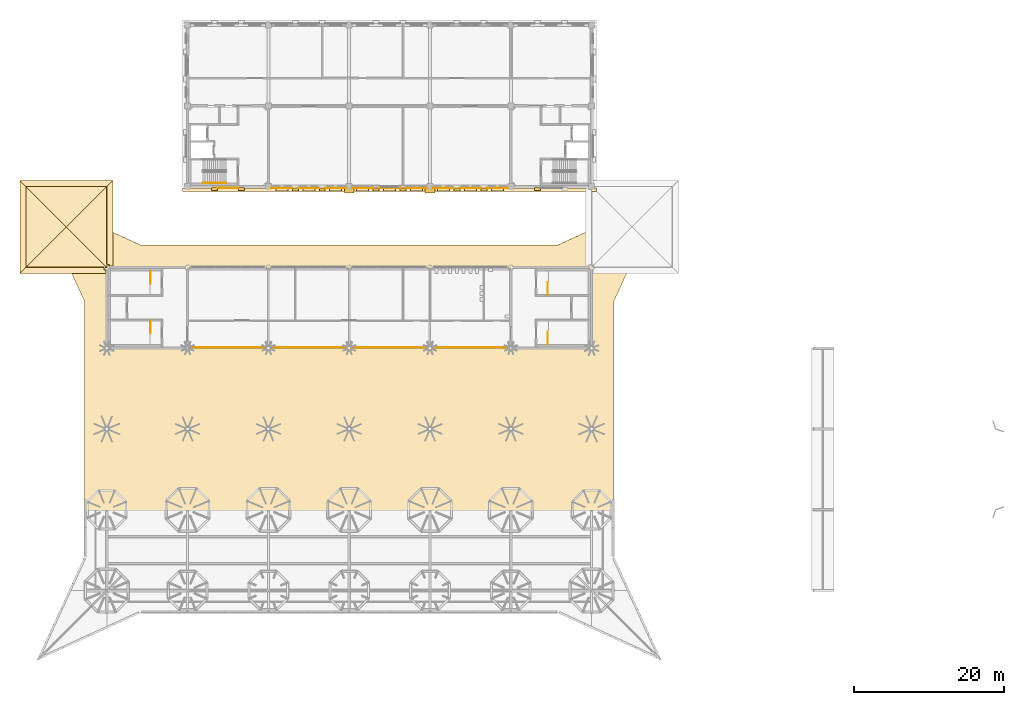
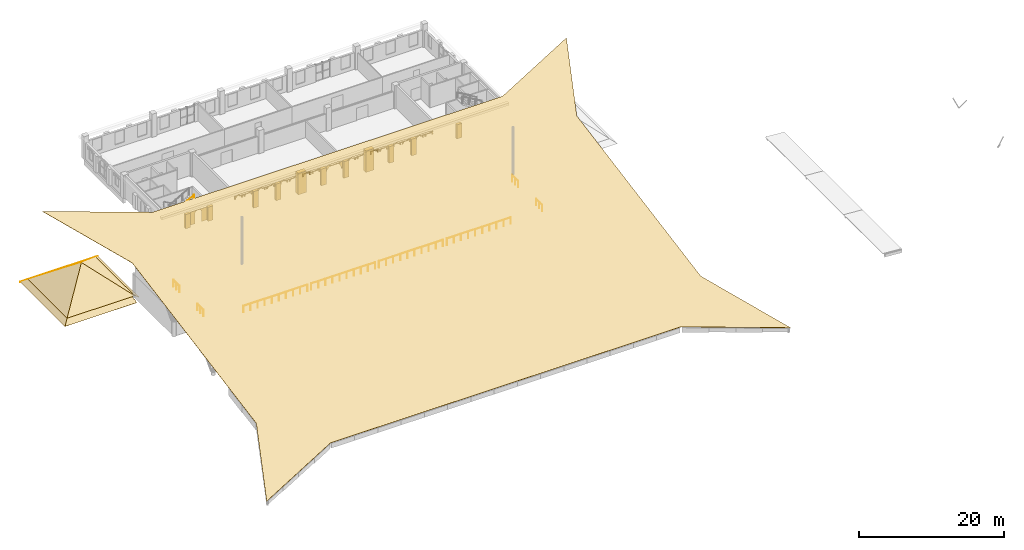
# One storey, part 51 of 56: 48 coverings, 9 railings.
"""IFC4 building model written with IfcOpenShell, lengths in metres."""

from ifc_helpers import new_model, si_unit, direction, frame, origin, origin_2d, place, context, subcontext, project, spatial, polyline, rectangle, circle, outline, extrude, material, layer, layer_set, type_object, element, save


model = new_model("IFC4")

# Units and contexts
model_context = context("Model", 3, precision=1e-05, world=origin(), true_north=direction((0.0, 1.0)))
body_context = subcontext(model_context, "Body", "Model", "MODEL_VIEW")
ifc_project = project(units=[si_unit("LENGTHUNIT", "METRE"), si_unit("AREAUNIT", "SQUARE_METRE"), si_unit("VOLUMEUNIT", "CUBIC_METRE"), si_unit("PLANEANGLEUNIT", "RADIAN"), si_unit("MASSUNIT", "GRAM", prefix="KILO")], contexts=[model_context])

# Site, building, storey
site_placement = place(None, origin())
site = spatial("IfcSite", under=ifc_project, at=site_placement, CompositionType="ELEMENT")
building_placement = place(site_placement, origin())
building = spatial("IfcBuilding", under=site, at=building_placement, Name="Magnolia Steps Interchange", CompositionType="ELEMENT")
storey_placement = place(building_placement, frame((0.0, 0.0, 8.699951171875)))
storey = spatial("IfcBuildingStorey", under=building, at=storey_placement, Name="L02", CompositionType="ELEMENT", Elevation=8.699951171875)

# Coverings
ifc_material_1 = material(Name="Clay pantile")
ifc_layer_1 = layer(ifc_material_1, 0.0400390625)
ifc_layer_set_1 = layer_set([ifc_layer_1], Name="Clay pantile roofing")
covering_type_1 = type_object("IfcCoveringType", Name="Clay pantile roofing", PredefinedType="ROOFING", material=ifc_layer_set_1)
covering_1_placement = place(storey_placement, frame((53.199951171875, 85.60009765625, 0.1689453125), z_axis=(0.6156730791, 0.0, 0.788001687607), x_axis=(0.0, 1.0, 0.0)))
element("IfcCovering", 1, at=covering_1_placement, inside=storey, type_object=covering_type_1, Name="Clay pantile roof WC-W 1", PredefinedType="ROOFING", context=body_context, shape_type="SweptSolid", body=[
    extrude(outline(polyline([(0.0, 0.0), (10.799804688, 0.0), (5.399902344, 6.852653273), (0.0, 0.0)])), origin(), (0.0, 0.0, -1.0), 0.0400390625),
])
covering_2_placement = place(storey_placement, frame((42.39990234375, 96.39990234375, 0.1689453125), z_axis=(-0.615655794866, 0.0, 0.788015191635), x_axis=(0.0, -1.0, 0.0)))
element("IfcCovering", 2, at=covering_2_placement, inside=storey, type_object=covering_type_1, Name="Clay pantile roof WC-W 2", PredefinedType="ROOFING", context=body_context, shape_type="SweptSolid", body=[
    extrude(outline(polyline([(0.0, 0.0), (10.799804688, 0.0), (5.399902344, 6.852845658), (0.0, 0.0)])), origin(), (0.0, 0.0, -1.0), 0.0400390625),
])
covering_3_placement = place(storey_placement, frame((42.39990234375, 85.60009765625, 0.1689453125), z_axis=(0.0, -0.6156730791, 0.788001687607), x_axis=(1.0, 0.0, 0.0)))
element("IfcCovering", 3, at=covering_3_placement, inside=storey, type_object=covering_type_1, Name="Clay pantile roof WC-W 3", PredefinedType="ROOFING", context=body_context, shape_type="SweptSolid", body=[
    extrude(outline(polyline([(0.0, 0.0), (10.800048828, 0.0), (5.400146484, 6.852653273), (0.0, 0.0)])), origin(), (0.0, 0.0, -1.0), 0.0400390625),
])
covering_4_placement = place(storey_placement, frame((53.199951171875, 96.39990234375, 0.1689453125), z_axis=(0.0, 0.6156730791, 0.788001687607), x_axis=(-1.0, 0.0, 0.0)))
element("IfcCovering", 4, at=covering_4_placement, inside=storey, type_object=covering_type_1, Name="Clay pantile roof WC-W 4", PredefinedType="ROOFING", context=body_context, shape_type="SweptSolid", body=[
    extrude(outline(polyline([(0.0, 0.0), (10.800048828, 0.0), (5.399902344, 6.852653273), (0.0, 0.0)])), origin(), (0.0, 0.0, -1.0), 0.0400390625),
])
covering_5_placement = place(storey_placement, frame((54.0, 97.199951171875, -0.4560546875), z_axis=(0.615621471844, 2.820731e-06, 0.788042006112), x_axis=(1.736503e-06, -0.999999999996, 2.222855e-06)))
element("IfcCovering", 5, at=covering_5_placement, inside=storey, type_object=covering_type_1, Name="Clay pantile eave Pavilion roof slab WC-W 1 1", PredefinedType="ROOFING", context=body_context, shape_type="SweptSolid", body=[
    extrude(outline(polyline([(0.0, 0.0), (11.405029297, 0.0), (11.405029297, -0.571009848), (11.268066406, -0.571352539), (11.251464844, -0.586833823), (11.25, -1.015235503), (0.800048828, -1.015235503), (0.0, 0.0)])), origin(), (0.0, 0.0, -1.0), 0.0400390625),
])
covering_6_placement = place(storey_placement, frame((42.39990234375, 96.39990234375, 0.1689453125), z_axis=(-0.615737387772, 0.0, 0.787951438415), x_axis=(0.0, -1.0, 0.0)))
element("IfcCovering", 6, at=covering_6_placement, inside=storey, type_object=covering_type_1, Name="Clay pantile eave Pavilion roof slab WC-W 2 1", PredefinedType="ROOFING", context=body_context, shape_type="SweptSolid", body=[
    extrude(outline(polyline([(0.0, 0.0), (10.799804688, 0.0), (11.599853516, -1.015043121), (-0.800048828, -1.015043121), (0.0, 0.0)])), origin(), (0.0, 0.0, -1.0), 0.0400390625),
])
covering_7_placement = place(storey_placement, frame((53.0048828125, 84.800048828125, -0.4560546875), z_axis=(-5.931337e-06, -0.615622383122, 0.7880412942), x_axis=(-0.999999999982, 3.651464e-06, -4.674138e-06)))
element("IfcCovering", 7, at=covering_7_placement, inside=storey, type_object=covering_type_1, Name="Clay pantile eave Pavilion roof slab WC-W 3 2", PredefinedType="ROOFING", context=body_context, shape_type="SweptSolid", body=[
    extrude(outline(polyline([(0.0, 0.0), (11.404785156, 0.0), (10.604980469, -1.015235503), (0.154785156, -1.015235503), (0.153320311, -0.58664143), (0.136962889, -0.571160146), (0.0, -0.571009848), (0.0, 0.0)])), origin(), (0.0, 0.0, -1.0), 0.0400390625),
])
covering_8_placement = place(storey_placement, frame((53.199951171875, 96.39990234375, 0.1689453125), z_axis=(0.0, 0.615620708595, 0.788042602369), x_axis=(-1.0, 0.0, 0.0)))
element("IfcCovering", 8, at=covering_8_placement, inside=storey, type_object=covering_type_1, Name="Clay pantile eave Pavilion roof slab WC-W 4 1", PredefinedType="ROOFING", context=body_context, shape_type="SweptSolid", body=[
    extrude(outline(polyline([(0.0, 0.0), (10.800048828, 0.0), (11.599853516, -1.015235503), (-0.800048828, -1.015235503), (0.0, 0.0)])), origin(), (0.0, 0.0, -1.0), 0.0400390625),
])
ifc_material_2 = material(Name="Lime render")
ifc_layer_2 = layer(ifc_material_2, 0.080078125)
ifc_layer_set_2 = layer_set([ifc_layer_2], Name="Lime render arch infill")
covering_type_2 = type_object("IfcCoveringType", Name="Lime render arch infill", PredefinedType="CLADDING", material=ifc_layer_set_2)
covering_9_placement = place(storey_placement, frame((89.60009765625, 96.237548828125, 1.530029296875), z_axis=(0.0, 1.0, 0.0), x_axis=(0.0, 0.0, 1.0)))
element("IfcCovering", 9, at=covering_9_placement, inside=storey, type_object=covering_type_2, Name="Arched head over opening g2", PredefinedType="CLADDING", context=body_context, shape_type="SweptSolid", body=[
    extrude(outline(polyline([(0.0, 0.0), (1.219970703, 0.0), (1.219970703, 2.799804688), (0.0, 2.799804688), (0.0, 2.599853516), (0.267089844, 2.569824219), (0.520751953, 2.481201172), (0.748291016, 2.338134766), (0.938232422, 2.148193359), (1.081298828, 1.920654297), (1.169921875, 1.666992188), (1.199951172, 1.399902344), (1.169921875, 1.1328125), (1.081298828, 0.879150391), (0.938232422, 0.651611328), (0.748291016, 0.461669922), (0.520751953, 0.318603516), (0.267089844, 0.229980469), (0.0, 0.199951172), (0.0, 0.0)])), origin(), (0.0, 0.0, -1.0), 0.080078125),
])
for number, where, z_axis, x_axis, name in (
    (10, (75.199951171875, 96.237548828125, 2.255126953125), (0.0, 1.0, 0.0), (0.0, 0.0, 1.0), "Arched head over opening W00105"),
    (11, (76.699951171875, 96.237548828125, 2.255126953125), (0.0, 1.0, 0.0), (0.0, 0.0, 1.0), "Arched head over opening W00255"),
):
    element("IfcCovering", number, at=place(storey_placement, frame(where, z_axis=z_axis, x_axis=x_axis)), inside=storey, type_object=covering_type_2, Name=name, PredefinedType="CLADDING", context=body_context, shape_type="SweptSolid", body=[
        extrude(outline(polyline([(0.0, 0.0), (0.494873047, 0.0), (0.494873047, 1.300048828), (0.0, 1.300048828), (0.0, 1.125), (0.105712891, 1.113037109), (0.206054688, 1.078125), (0.296142578, 1.021484375), (0.371337891, 0.946289062), (0.427978516, 0.856201172), (0.463134766, 0.755859375), (0.474853516, 0.650146484), (0.463134766, 0.544433594), (0.427978516, 0.443847656), (0.371337891, 0.353759766), (0.296142578, 0.278564453), (0.206054688, 0.222167969), (0.105712891, 0.187011719), (0.0, 0.175048828), (0.0, 0.0)])), origin(), (0.0, 0.0, -1.0), 0.080078125),
    ])
for number, where, z_axis, x_axis, name in (
    (12, (78.800048828125, 96.237548828125, 2.255126953125), (0.0, 1.0, 0.0), (0.0, 0.0, 1.0), "Arched head over opening W00465"),
    (13, (80.300048828125, 96.237548828125, 2.255126953125), (0.0, 1.0, 0.0), (0.0, 0.0, 1.0), "Arched head over opening W00615"),
):
    element("IfcCovering", number, at=place(storey_placement, frame(where, z_axis=z_axis, x_axis=x_axis)), inside=storey, type_object=covering_type_2, Name=name, PredefinedType="CLADDING", context=body_context, shape_type="SweptSolid", body=[
        extrude(outline(polyline([(0.0, 0.0), (0.494873047, 0.0), (0.494873047, 1.300048828), (0.0, 1.300048828), (0.0, 1.125), (0.105712891, 1.113037109), (0.206054688, 1.077880859), (0.296142578, 1.021240234), (0.371337891, 0.946044922), (0.427978516, 0.855957031), (0.463134766, 0.755615234), (0.474853516, 0.649902344), (0.463134766, 0.544189453), (0.427978516, 0.443847656), (0.371337891, 0.353759766), (0.296142578, 0.278564453), (0.206054688, 0.221923828), (0.105712891, 0.186767578), (0.0, 0.175048828), (0.0, 0.0)])), origin(), (0.0, 0.0, -1.0), 0.080078125),
    ])
for number, where, z_axis, x_axis, name in (
    (14, (82.39990234375, 96.237548828125, 2.255126953125), (0.0, 1.0, 0.0), (0.0, 0.0, 1.0), "Arched head over opening W00825"),
    (15, (83.89990234375, 96.237548828125, 2.255126953125), (0.0, 1.0, 0.0), (0.0, 0.0, 1.0), "Arched head over opening W00975"),
):
    element("IfcCovering", number, at=place(storey_placement, frame(where, z_axis=z_axis, x_axis=x_axis)), inside=storey, type_object=covering_type_2, Name=name, PredefinedType="CLADDING", context=body_context, shape_type="SweptSolid", body=[
        extrude(outline(polyline([(0.0, 0.0), (0.494873047, 0.0), (0.494873047, 1.300048828), (0.0, 1.300048828), (0.0, 1.125), (0.105712891, 1.11328125), (0.206054688, 1.078125), (0.296142578, 1.021484375), (0.371337891, 0.946289062), (0.427978516, 0.856201172), (0.463134766, 0.755859375), (0.474853516, 0.650146484), (0.463134766, 0.544433594), (0.427978516, 0.444091797), (0.371337891, 0.354003906), (0.296142578, 0.278808594), (0.206054688, 0.222167969), (0.105712891, 0.187011719), (0.0, 0.175048828), (0.0, 0.0)])), origin(), (0.0, 0.0, -1.0), 0.080078125),
    ])
for number, where, z_axis, x_axis, name in (
    (16, (86.0, 96.237548828125, 2.255126953125), (0.0, 1.0, 0.0), (0.0, 0.0, 1.0), "Arched head over opening W01185"),
    (17, (87.5, 96.237548828125, 2.255126953125), (0.0, 1.0, 0.0), (0.0, 0.0, 1.0), "Arched head over opening W01335"),
):
    element("IfcCovering", number, at=place(storey_placement, frame(where, z_axis=z_axis, x_axis=x_axis)), inside=storey, type_object=covering_type_2, Name=name, PredefinedType="CLADDING", context=body_context, shape_type="SweptSolid", body=[
        extrude(outline(polyline([(0.0, 0.0), (0.494873047, 0.0), (0.494873047, 1.300048828), (0.0, 1.300048828), (0.0, 1.125), (0.105712891, 1.113037109), (0.206054688, 1.077880859), (0.296142578, 1.021484375), (0.371337891, 0.946289062), (0.427978516, 0.856201172), (0.463134766, 0.755615234), (0.474853516, 0.649902344), (0.463134766, 0.544189453), (0.427978516, 0.443847656), (0.371337891, 0.353759766), (0.296142578, 0.278564453), (0.206054688, 0.221923828), (0.105712891, 0.187011719), (0.0, 0.175048828), (0.0, 0.0)])), origin(), (0.0, 0.0, -1.0), 0.080078125),
    ])
for number, where, z_axis, x_axis, name in (
    (18, (93.199951171875, 96.237548828125, 2.255126953125), (0.0, 1.0, 0.0), (0.0, 0.0, 1.0), "Arched head over opening W00165"),
    (19, (94.699951171875, 96.237548828125, 2.255126953125), (0.0, 1.0, 0.0), (0.0, 0.0, 1.0), "Arched head over opening W00315"),
):
    element("IfcCovering", number, at=place(storey_placement, frame(where, z_axis=z_axis, x_axis=x_axis)), inside=storey, type_object=covering_type_2, Name=name, PredefinedType="CLADDING", context=body_context, shape_type="SweptSolid", body=[
        extrude(outline(polyline([(0.0, 0.0), (0.494873047, 0.0), (0.494873047, 1.300048828), (0.0, 1.300048828), (0.0, 1.125), (0.105712891, 1.113037109), (0.206054688, 1.078125), (0.296142578, 1.021484375), (0.371337891, 0.946289062), (0.427978516, 0.856201172), (0.463134766, 0.755859375), (0.474853516, 0.650146484), (0.463134766, 0.544433594), (0.427978516, 0.443847656), (0.371337891, 0.353759766), (0.296142578, 0.278564453), (0.206054688, 0.222167969), (0.105712891, 0.187011719), (0.0, 0.175048828), (0.0, 0.0)])), origin(), (0.0, 0.0, -1.0), 0.080078125),
    ])
for number, where, z_axis, x_axis, name in (
    (20, (96.800048828125, 96.237548828125, 2.255126953125), (0.0, 1.0, 0.0), (0.0, 0.0, 1.0), "Arched head over opening W00525"),
    (21, (98.300048828125, 96.237548828125, 2.255126953125), (0.0, 1.0, 0.0), (0.0, 0.0, 1.0), "Arched head over opening W00675"),
):
    element("IfcCovering", number, at=place(storey_placement, frame(where, z_axis=z_axis, x_axis=x_axis)), inside=storey, type_object=covering_type_2, Name=name, PredefinedType="CLADDING", context=body_context, shape_type="SweptSolid", body=[
        extrude(outline(polyline([(0.0, 0.0), (0.494873047, 0.0), (0.494873047, 1.300048828), (0.0, 1.300048828), (0.0, 1.125), (0.105712891, 1.113037109), (0.206054688, 1.077880859), (0.296142578, 1.021240234), (0.371337891, 0.946044922), (0.427978516, 0.855957031), (0.463134766, 0.755615234), (0.474853516, 0.649902344), (0.463134766, 0.544189453), (0.427978516, 0.443847656), (0.371337891, 0.353759766), (0.296142578, 0.278564453), (0.206054688, 0.221923828), (0.105712891, 0.186767578), (0.0, 0.175048828), (0.0, 0.0)])), origin(), (0.0, 0.0, -1.0), 0.080078125),
    ])
for number, where, z_axis, x_axis, name in (
    (22, (100.39990234375, 96.237548828125, 2.255126953125), (0.0, 1.0, 0.0), (0.0, 0.0, 1.0), "Arched head over opening W00885"),
    (23, (101.89990234375, 96.237548828125, 2.255126953125), (0.0, 1.0, 0.0), (0.0, 0.0, 1.0), "Arched head over opening W01035"),
):
    element("IfcCovering", number, at=place(storey_placement, frame(where, z_axis=z_axis, x_axis=x_axis)), inside=storey, type_object=covering_type_2, Name=name, PredefinedType="CLADDING", context=body_context, shape_type="SweptSolid", body=[
        extrude(outline(polyline([(0.0, 0.0), (0.494873047, 0.0), (0.494873047, 1.300048828), (0.0, 1.300048828), (0.0, 1.125), (0.105712891, 1.11328125), (0.206054688, 1.078125), (0.296142578, 1.021484375), (0.371337891, 0.946289062), (0.427978516, 0.856201172), (0.463134766, 0.755859375), (0.474853516, 0.650146484), (0.463134766, 0.544433594), (0.427978516, 0.444091797), (0.371337891, 0.354003906), (0.296142578, 0.278808594), (0.206054688, 0.222167969), (0.105712891, 0.187011719), (0.0, 0.175048828), (0.0, 0.0)])), origin(), (0.0, 0.0, -1.0), 0.080078125),
    ])
for number, where, z_axis, x_axis, name in (
    (24, (104.0, 96.237548828125, 2.255126953125), (0.0, 1.0, 0.0), (0.0, 0.0, 1.0), "Arched head over opening W01245"),
    (25, (105.5, 96.237548828125, 2.255126953125), (0.0, 1.0, 0.0), (0.0, 0.0, 1.0), "Arched head over opening W01395"),
):
    element("IfcCovering", number, at=place(storey_placement, frame(where, z_axis=z_axis, x_axis=x_axis)), inside=storey, type_object=covering_type_2, Name=name, PredefinedType="CLADDING", context=body_context, shape_type="SweptSolid", body=[
        extrude(outline(polyline([(0.0, 0.0), (0.494873047, 0.0), (0.494873047, 1.300048828), (0.0, 1.300048828), (0.0, 1.125), (0.105712891, 1.113037109), (0.206054688, 1.077880859), (0.296142578, 1.021484375), (0.371337891, 0.946289062), (0.427978516, 0.856201172), (0.463134766, 0.755615234), (0.474853516, 0.649902344), (0.463134766, 0.544189453), (0.427978516, 0.443847656), (0.371337891, 0.353759766), (0.296142578, 0.278564453), (0.206054688, 0.221923828), (0.105712891, 0.187011719), (0.0, 0.175048828), (0.0, 0.0)])), origin(), (0.0, 0.0, -1.0), 0.080078125),
    ])
covering_10_placement = place(storey_placement, frame((67.949951171875, 96.25, 0.400146484375), z_axis=(0.0, 1.0, 0.0), x_axis=(0.0, 0.0, 1.0)))
element("IfcCovering", 26, at=covering_10_placement, inside=storey, type_object=covering_type_2, Name="Arched niche OC-W L02 S", PredefinedType="CLADDING", context=body_context, shape_type="SweptSolid", body=[
    extrude(outline(polyline([(0.0, 0.0), (2.199951172, 0.0), (2.199951172, 2.900146484), (0.0, 2.900146484), (0.0, 2.0), (1.599853516, 2.0), (1.7421875, 1.981445312), (1.875, 1.926269531), (1.988769531, 1.838867188), (2.076171875, 1.725097656), (2.131103516, 1.592529297), (2.149902344, 1.449951172), (2.131103516, 1.307617188), (2.076171875, 1.175048828), (1.988769531, 1.061035156), (1.875, 0.973632812), (1.7421875, 0.918701172), (1.599853516, 0.900146484), (0.0, 0.900146484), (0.0, 0.0)])), origin(), (0.0, 0.0, -1.0), 0.080078125),
])
ifc_material_3 = material(Name="Lime render")
ifc_layer_3 = layer(ifc_material_3, 0.1201171875)
ifc_layer_set_3 = layer_set([ifc_layer_3], Name="Lime render band")
covering_type_3 = type_object("IfcCoveringType", Name="Lime render band", PredefinedType="CLADDING", material=ifc_layer_set_3)
covering_11_placement = place(storey_placement, frame((91.0, 95.987548828125, 3.2001953125), z_axis=(0.0, 0.0, 1.0), x_axis=(1.0, 0.0, 0.0)))
element("IfcCovering", 27, at=covering_11_placement, inside=storey, type_object=covering_type_3, Name="String course L02 S", PredefinedType="CLADDING", context=body_context, shape_type="SweptSolid", body=[
    extrude(rectangle(XDim=55.324951171875, YDim=0.5, at=origin_2d()), origin(), (0.0, 0.0, 1.0), 0.39990234375),
])
ifc_material_4 = material(Name="Lime render")
ifc_layer_4 = layer(ifc_material_4, 0.39990234375)
ifc_layer_set_4 = layer_set([ifc_layer_4], Name="Lime render pilaster")
covering_type_4 = type_object("IfcCoveringType", Name="Lime render pilaster", PredefinedType="CLADDING", material=ifc_layer_set_4)
for number, where, z_axis, x_axis, name in (
    (28, (78.39990234375, 96.03759765625, 0.0), (0.0, 0.0, 1.0), (1.0, 0.0, 0.0), "Pilaster L02 S 1"),
    (29, (82.0, 96.03759765625, 0.0), (0.0, 0.0, 1.0), (1.0, 0.0, 0.0), "Pilaster L02 S 2"),
    (30, (89.199951171875, 96.03759765625, 0.0), (0.0, 0.0, 1.0), (1.0, 0.0, 0.0), "Pilaster L02 S 3"),
    (31, (92.800048828125, 96.03759765625, 0.0), (0.0, 0.0, 1.0), (1.0, 0.0, 0.0), "Pilaster L02 S 4"),
    (32, (100.0, 96.03759765625, 0.0), (0.0, 0.0, 1.0), (1.0, 0.0, 0.0), "Pilaster L02 S 5"),
    (33, (103.60009765625, 96.03759765625, 0.0), (0.0, 0.0, 1.0), (1.0, 0.0, 0.0), "Pilaster L02 S 6"),
):
    element("IfcCovering", number, at=place(storey_placement, frame(where, z_axis=z_axis, x_axis=x_axis)), inside=storey, type_object=covering_type_4, Name=name, PredefinedType="CLADDING", context=body_context, shape_type="SweptSolid", body=[
        extrude(rectangle(XDim=0.800048828125, YDim=0.39990234375, at=origin_2d()), origin(), (0.0, 0.0, 1.0), 2.800048828125),
    ])
for number, where, z_axis, x_axis, name in (
    (34, (67.60009765625, 96.050048828125, 0.300048828125), (0.0, 0.0, 1.0), (1.0, 0.0, 0.0), "Core pilaster OC-W L02 S 1"),
    (35, (71.199951171875, 96.050048828125, 0.300048828125), (0.0, 0.0, 1.0), (1.0, 0.0, 0.0), "Core pilaster OC-W L02 S 2"),
    (36, (110.800048828125, 96.050048828125, 0.300048828125), (0.0, 0.0, 1.0), (1.0, 0.0, 0.0), "Core pilaster OC-E L02 S 1"),
):
    element("IfcCovering", number, at=place(storey_placement, frame(where, z_axis=z_axis, x_axis=x_axis)), inside=storey, type_object=covering_type_4, Name=name, PredefinedType="CLADDING", context=body_context, shape_type="SweptSolid", body=[
        extrude(rectangle(XDim=0.800048828125, YDim=0.39990234375, at=origin_2d()), origin(), (0.0, 0.0, 1.0), 2.39990234375),
    ])
for number, where, z_axis, x_axis, name in (
    (37, (85.60009765625, 95.875, 0.0), (0.0, 0.0, 1.0), (1.0, 0.0, 0.0), "Giant pilaster L02 1"),
    (38, (96.39990234375, 95.875, 0.0), (0.0, 0.0, 1.0), (1.0, 0.0, 0.0), "Giant pilaster L02 2"),
):
    element("IfcCovering", number, at=place(storey_placement, frame(where, z_axis=z_axis, x_axis=x_axis)), inside=storey, type_object=covering_type_4, Name=name, PredefinedType="CLADDING", context=body_context, shape_type="SweptSolid", body=[
        extrude(rectangle(XDim=1.300048828125, YDim=0.699951171875, at=origin_2d()), origin(), (0.0, 0.0, 1.0), 3.60009765625),
    ])

# Railings
ifc_material_5 = material(Name="Stainless steel grade 304", Category="steel")
railing_type_1 = type_object("IfcRailingType", Name="Stair guard 1100", PredefinedType="GUARDRAIL", material=ifc_material_5)
railing_1_placement = place(storey_placement, frame((59.050048828125, 78.449951171875, 0.0)))
element("IfcRailing", 39, at=railing_1_placement, inside=storey, type_object=railing_type_1, Name="L02 ST1 top well guard 1", PredefinedType="GUARDRAIL", context=body_context, shape_type="SweptSolid", body=[
    extrude(circle(Radius=0.02392578125, at=origin_2d()), frame((0.0, 0.0, 1.076171875), z_axis=(0.0, -1.0, 0.0), x_axis=(1.0, 0.0, 0.0)), (0.0, 0.0, 1.0), 1.64990234375),
    extrude(circle(Radius=0.02099609375, at=origin_2d()), origin(), (0.0, 0.0, 1.0), 1.052001953125),
    extrude(circle(Radius=0.02099609375, at=origin_2d()), frame((0.0, -0.824951171875, 0.0)), (0.0, 0.0, 1.0), 1.052001953125),
    extrude(circle(Radius=0.02099609375, at=origin_2d()), frame((0.0, -1.64990234375, 0.0)), (0.0, 0.0, 1.0), 1.052001953125),
])
railing_2_placement = place(storey_placement, frame((59.050048828125, 85.10009765625, 0.0)))
element("IfcRailing", 40, at=railing_2_placement, inside=storey, type_object=railing_type_1, Name="L02 ST2 top well guard 1", PredefinedType="GUARDRAIL", context=body_context, shape_type="SweptSolid", body=[
    extrude(circle(Radius=0.02392578125, at=origin_2d()), frame((0.0, 0.0, 1.076171875), z_axis=(0.0, -1.0, 0.0), x_axis=(1.0, 0.0, 0.0)), (0.0, 0.0, 1.0), 1.650146484375),
    extrude(circle(Radius=0.02099609375, at=origin_2d()), origin(), (0.0, 0.0, 1.0), 1.052001953125),
    extrude(circle(Radius=0.02099609375, at=origin_2d()), frame((0.0, -0.8251953125, 0.0)), (0.0, 0.0, 1.0), 1.052001953125),
    extrude(circle(Radius=0.02099609375, at=origin_2d()), frame((0.0, -1.650146484375, 0.0)), (0.0, 0.0, 1.0), 1.052001953125),
])
railing_3_placement = place(storey_placement, frame((112.14990234375, 81.949951171875, 0.0)))
element("IfcRailing", 41, at=railing_3_placement, inside=storey, type_object=railing_type_1, Name="L02 ST3 top well guard 1", PredefinedType="GUARDRAIL", context=body_context, shape_type="SweptSolid", body=[
    extrude(circle(Radius=0.02392578125, at=origin_2d()), frame((0.0, 0.0, 1.076171875), z_axis=(0.0, 1.0, 0.0), x_axis=(-1.0, 0.0, 0.0)), (0.0, 0.0, 1.0), 1.650146484375),
    extrude(circle(Radius=0.02099609375, at=origin_2d()), origin(), (0.0, 0.0, 1.0), 1.052001953125),
    extrude(circle(Radius=0.02099609375, at=origin_2d()), frame((0.0, 0.8251953125, 0.0)), (0.0, 0.0, 1.0), 1.052001953125),
    extrude(circle(Radius=0.02099609375, at=origin_2d()), frame((0.0, 1.650146484375, 0.0)), (0.0, 0.0, 1.0), 1.052001953125),
])
railing_4_placement = place(storey_placement, frame((112.14990234375, 75.300048828125, 0.0)))
element("IfcRailing", 42, at=railing_4_placement, inside=storey, type_object=railing_type_1, Name="L02 ST4 top well guard 1", PredefinedType="GUARDRAIL", context=body_context, shape_type="SweptSolid", body=[
    extrude(circle(Radius=0.02392578125, at=origin_2d()), frame((0.0, 0.0, 1.076171875), z_axis=(0.0, 1.0, 0.0), x_axis=(-1.0, 0.0, 0.0)), (0.0, 0.0, 1.0), 1.64990234375),
    extrude(circle(Radius=0.02099609375, at=origin_2d()), origin(), (0.0, 0.0, 1.0), 1.052001953125),
    extrude(circle(Radius=0.02099609375, at=origin_2d()), frame((0.0, 0.824951171875, 0.0)), (0.0, 0.0, 1.0), 1.052001953125),
    extrude(circle(Radius=0.02099609375, at=origin_2d()), frame((0.0, 1.64990234375, 0.0)), (0.0, 0.0, 1.0), 1.052001953125),
])
ifc_material_6 = material(Name="Stainless steel grade 304", Category="steel")
railing_type_2 = type_object("IfcRailingType", Name="Stair handrail 900", PredefinedType="HANDRAIL", material=ifc_material_6)
railing_5_placement = place(storey_placement, frame((66.070068359375, 96.8740234375, 2.112548828125)))
element("IfcRailing", 43, at=railing_5_placement, inside=storey, type_object=railing_type_2, Name="L02 ST28 stair handrail 2", PredefinedType="HANDRAIL", context=body_context, shape_type="SweptSolid", body=[
    extrude(circle(Radius=0.02392578125, at=origin_2d()), frame((0.0, 0.0, 0.8759765625), z_axis=(0.864873446163, 0.0, 0.501989962173), x_axis=(0.0, 1.0, 0.0)), (0.0, 0.0, 1.0), 3.56103515625),
    extrude(circle(Radius=0.02099609375, at=origin_2d()), origin(), (0.0, 0.0, 1.0), 0.851806640625),
    extrude(circle(Radius=0.02099609375, at=origin_2d()), frame((1.026611328125, 0.0, 0.595947265625)), (0.0, 0.0, 1.0), 0.851806640625),
    extrude(circle(Radius=0.02099609375, at=origin_2d()), frame((2.05322265625, 0.0, 1.191650390625)), (0.0, 0.0, 1.0), 0.851806640625),
    extrude(circle(Radius=0.02099609375, at=origin_2d()), frame((3.079833984375, 0.0, 1.78759765625)), (0.0, 0.0, 1.0), 0.851806640625),
])

# Coverings
ifc_material_7 = material(Name="White standing seam aluminium", Category="aluminium")
ifc_layer_5 = layer(ifc_material_7, 0.0400390625)
ifc_layer_set_5 = layer_set([ifc_layer_5], Name="Standing seam metal roofing")
covering_type_5 = type_object("IfcCoveringType", Name="Standing seam metal roofing", PredefinedType="ROOFING", material=ifc_layer_set_5)
covering_12_placement = place(storey_placement, frame((50.199951171875, 46.89990234375, 3.212646484375), z_axis=(0.0, -0.179940161812, 0.983677558028), x_axis=(-0.410648450899, -0.896911053328, -0.164068315628)))
element("IfcCovering", 44, at=covering_12_placement, inside=storey, type_object=covering_type_5, Name="Concourse Hall standing seam roof skin", PredefinedType="ROOFING", context=body_context, shape_type="SweptSolid", body=[
    extrude(outline(polyline([(0.0, 0.0), (15.423752897, 0.0), (3.872042728, 9.969412829), (-19.042160884, 60.847548821), (-18.852058709, 76.105171872), (-29.073930375, 64.555042302), (-60.774891943, 50.277744719), (-76.19864484, 50.277744719), (-64.646974726, 40.30831385), (-41.732771115, -10.569822142), (-41.922833234, -25.827427153), (-31.700961568, -14.277297583), (0.0, 0.0)])), origin(), (0.0, 0.0, -1.0), 0.0400390625),
])
ifc_material_8 = material(Name="Timber", Category="wood")
ifc_layer_6 = layer(ifc_material_8, 0.050048828125)
ifc_layer_set_6 = layer_set([ifc_layer_6], Name="Timber sunshade louvre")
covering_type_6 = type_object("IfcCoveringType", Name="Timber sunshade louvre", PredefinedType="CLADDING", material=ifc_layer_set_6)
for number, where, z_axis, x_axis, name in (
    (45, (76.60009765625, 96.02490234375, 2.8251953125), (0.0, 0.0, 1.0), (1.0, 0.0, 0.0), "Sunshade louvre L02 1"),
    (46, (80.199951171875, 96.02490234375, 2.8251953125), (0.0, 0.0, 1.0), (1.0, 0.0, 0.0), "Sunshade louvre L02 2"),
    (47, (83.800048828125, 96.02490234375, 2.8251953125), (0.0, 0.0, 1.0), (1.0, 0.0, 0.0), "Sunshade louvre L02 3"),
    (48, (87.39990234375, 96.02490234375, 2.8251953125), (0.0, 0.0, 1.0), (1.0, 0.0, 0.0), "Sunshade louvre L02 4"),
    (49, (91.0, 96.02490234375, 2.8251953125), (0.0, 0.0, 1.0), (1.0, 0.0, 0.0), "Sunshade louvre L02 5"),
    (50, (94.60009765625, 96.02490234375, 2.8251953125), (0.0, 0.0, 1.0), (1.0, 0.0, 0.0), "Sunshade louvre L02 6"),
    (51, (98.199951171875, 96.02490234375, 2.8251953125), (0.0, 0.0, 1.0), (1.0, 0.0, 0.0), "Sunshade louvre L02 7"),
    (52, (101.800048828125, 96.02490234375, 2.8251953125), (0.0, 0.0, 1.0), (1.0, 0.0, 0.0), "Sunshade louvre L02 8"),
    (53, (105.39990234375, 96.02490234375, 2.8251953125), (0.0, 0.0, 1.0), (1.0, 0.0, 0.0), "Sunshade louvre L02 9"),
):
    element("IfcCovering", number, at=place(storey_placement, frame(where, z_axis=z_axis, x_axis=x_axis)), inside=storey, type_object=covering_type_6, Name=name, PredefinedType="CLADDING", context=body_context, shape_type="SweptSolid", body=[
        extrude(rectangle(XDim=1.60009765625, YDim=0.39990234375, at=origin_2d()), origin(), (0.0, 0.0, 1.0), 0.050048828125),
    ])

# Railings
ifc_material_9 = material(Name="Stainless steel grade 304", Category="steel")
railing_type_3 = type_object("IfcRailingType", Name="Void edge guard 1100", PredefinedType="GUARDRAIL", material=ifc_material_9)
for number, where, name in (
    (54, (64.317138671875, 74.8701171875, 0.0), "L02 gallery edge guard 1"),
    (55, (75.1171875, 74.8701171875, 0.0), "L02 gallery edge guard 2"),
):
    element("IfcRailing", number, at=place(storey_placement, frame(where)), inside=storey, type_object=railing_type_3, Name=name, PredefinedType="GUARDRAIL", context=body_context, shape_type="SweptSolid", body=[
        extrude(circle(Radius=0.02392578125, at=origin_2d()), frame((0.0, 0.0, 1.076171875), z_axis=(1.0, 0.0, 0.0), x_axis=(0.0, 1.0, 0.0)), (0.0, 0.0, 1.0), 10.165771484375),
        extrude(circle(Radius=0.02099609375, at=origin_2d()), origin(), (0.0, 0.0, 1.0), 1.052001953125),
        extrude(circle(Radius=0.02099609375, at=origin_2d()), frame((1.129638671875, 0.0, 0.0)), (0.0, 0.0, 1.0), 1.052001953125),
        extrude(circle(Radius=0.02099609375, at=origin_2d()), frame((2.259033203125, 0.0, 0.0)), (0.0, 0.0, 1.0), 1.052001953125),
        extrude(circle(Radius=0.02099609375, at=origin_2d()), frame((3.388671875, 0.0, 0.0)), (0.0, 0.0, 1.0), 1.052001953125),
        extrude(circle(Radius=0.02099609375, at=origin_2d()), frame((4.51806640625, 0.0, 0.0)), (0.0, 0.0, 1.0), 1.052001953125),
        extrude(circle(Radius=0.02099609375, at=origin_2d()), frame((5.647705078125, 0.0, 0.0)), (0.0, 0.0, 1.0), 1.052001953125),
        extrude(circle(Radius=0.02099609375, at=origin_2d()), frame((6.777099609375, 0.0, 0.0)), (0.0, 0.0, 1.0), 1.052001953125),
        extrude(circle(Radius=0.02099609375, at=origin_2d()), frame((7.90673828125, 0.0, 0.0)), (0.0, 0.0, 1.0), 1.052001953125),
        extrude(circle(Radius=0.02099609375, at=origin_2d()), frame((9.0361328125, 0.0, 0.0)), (0.0, 0.0, 1.0), 1.052001953125),
        extrude(circle(Radius=0.02099609375, at=origin_2d()), frame((10.165771484375, 0.0, 0.0)), (0.0, 0.0, 1.0), 1.052001953125),
    ])
railing_6_placement = place(storey_placement, frame((85.917236328125, 74.8701171875, 0.0)))
element("IfcRailing", 56, at=railing_6_placement, inside=storey, type_object=railing_type_3, Name="L02 gallery edge guard 3", PredefinedType="GUARDRAIL", context=body_context, shape_type="SweptSolid", body=[
    extrude(circle(Radius=0.02392578125, at=origin_2d()), frame((0.0, 0.0, 1.076171875), z_axis=(1.0, 0.0, 0.0), x_axis=(0.0, 1.0, 0.0)), (0.0, 0.0, 1.0), 10.16552734375),
    extrude(circle(Radius=0.02099609375, at=origin_2d()), origin(), (0.0, 0.0, 1.0), 1.052001953125),
    extrude(circle(Radius=0.02099609375, at=origin_2d()), frame((1.12939453125, 0.0, 0.0)), (0.0, 0.0, 1.0), 1.052001953125),
    extrude(circle(Radius=0.02099609375, at=origin_2d()), frame((2.259033203125, 0.0, 0.0)), (0.0, 0.0, 1.0), 1.052001953125),
    extrude(circle(Radius=0.02099609375, at=origin_2d()), frame((3.388427734375, 0.0, 0.0)), (0.0, 0.0, 1.0), 1.052001953125),
    extrude(circle(Radius=0.02099609375, at=origin_2d()), frame((4.51806640625, 0.0, 0.0)), (0.0, 0.0, 1.0), 1.052001953125),
    extrude(circle(Radius=0.02099609375, at=origin_2d()), frame((5.6474609375, 0.0, 0.0)), (0.0, 0.0, 1.0), 1.052001953125),
    extrude(circle(Radius=0.02099609375, at=origin_2d()), frame((6.777099609375, 0.0, 0.0)), (0.0, 0.0, 1.0), 1.052001953125),
    extrude(circle(Radius=0.02099609375, at=origin_2d()), frame((7.906494140625, 0.0, 0.0)), (0.0, 0.0, 1.0), 1.052001953125),
    extrude(circle(Radius=0.02099609375, at=origin_2d()), frame((9.0361328125, 0.0, 0.0)), (0.0, 0.0, 1.0), 1.052001953125),
    extrude(circle(Radius=0.02099609375, at=origin_2d()), frame((10.16552734375, 0.0, 0.0)), (0.0, 0.0, 1.0), 1.052001953125),
])
railing_7_placement = place(storey_placement, frame((96.717041015625, 74.8701171875, 0.0)))
element("IfcRailing", 57, at=railing_7_placement, inside=storey, type_object=railing_type_3, Name="L02 gallery edge guard 4", PredefinedType="GUARDRAIL", context=body_context, shape_type="SweptSolid", body=[
    extrude(circle(Radius=0.02392578125, at=origin_2d()), frame((0.0, 0.0, 1.076171875), z_axis=(1.0, 0.0, 0.0), x_axis=(0.0, 1.0, 0.0)), (0.0, 0.0, 1.0), 10.165771484375),
    extrude(circle(Radius=0.02099609375, at=origin_2d()), origin(), (0.0, 0.0, 1.0), 1.052001953125),
    extrude(circle(Radius=0.02099609375, at=origin_2d()), frame((1.129638671875, 0.0, 0.0)), (0.0, 0.0, 1.0), 1.052001953125),
    extrude(circle(Radius=0.02099609375, at=origin_2d()), frame((2.259033203125, 0.0, 0.0)), (0.0, 0.0, 1.0), 1.052001953125),
    extrude(circle(Radius=0.02099609375, at=origin_2d()), frame((3.388671875, 0.0, 0.0)), (0.0, 0.0, 1.0), 1.052001953125),
    extrude(circle(Radius=0.02099609375, at=origin_2d()), frame((4.51806640625, 0.0, 0.0)), (0.0, 0.0, 1.0), 1.052001953125),
    extrude(circle(Radius=0.02099609375, at=origin_2d()), frame((5.647705078125, 0.0, 0.0)), (0.0, 0.0, 1.0), 1.052001953125),
    extrude(circle(Radius=0.02099609375, at=origin_2d()), frame((6.777099609375, 0.0, 0.0)), (0.0, 0.0, 1.0), 1.052001953125),
    extrude(circle(Radius=0.02099609375, at=origin_2d()), frame((7.90673828125, 0.0, 0.0)), (0.0, 0.0, 1.0), 1.052001953125),
    extrude(circle(Radius=0.02099609375, at=origin_2d()), frame((9.0361328125, 0.0, 0.0)), (0.0, 0.0, 1.0), 1.052001953125),
    extrude(circle(Radius=0.02099609375, at=origin_2d()), frame((10.165771484375, 0.0, 0.0)), (0.0, 0.0, 1.0), 1.052001953125),
])

save(model, "model.ifc")
